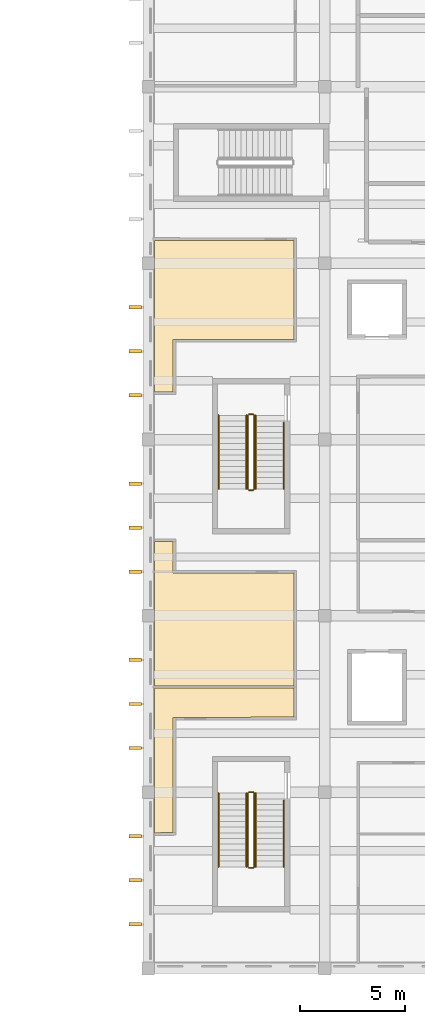
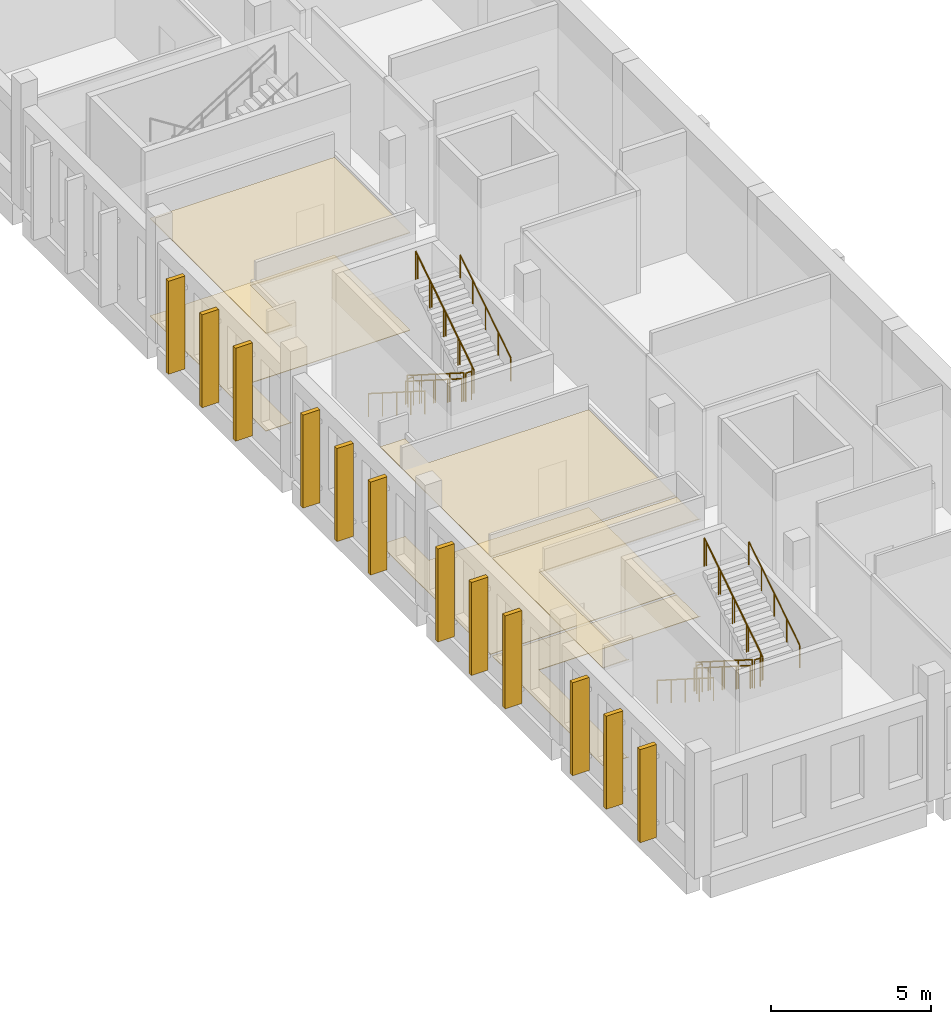
# One storey, part 84 of 103: 18 coverings, 16 railings.
"""IFC4 building model written with IfcOpenShell, lengths in metres."""

from ifc_helpers import new_model, si_unit, direction, frame, origin, origin_2d, place, context, subcontext, project, spatial, polyline, circle, outline, extrude, material, layer, layer_set, type_object, element, save


model = new_model("IFC4")

# Units and contexts
model_context = context("Model", 3, precision=1e-05, world=origin(), true_north=direction((0.0, 1.0)))
body_context = subcontext(model_context, "Body", "Model", "MODEL_VIEW")
ifc_project = project(units=[si_unit("LENGTHUNIT", "METRE"), si_unit("AREAUNIT", "SQUARE_METRE"), si_unit("VOLUMEUNIT", "CUBIC_METRE"), si_unit("PLANEANGLEUNIT", "RADIAN"), si_unit("MASSUNIT", "GRAM", prefix="KILO")], contexts=[model_context])

# Site, building, storey
site_placement = place(None, origin())
site = spatial("IfcSite", under=ifc_project, at=site_placement, CompositionType="ELEMENT")
building_placement = place(site_placement, origin())
building = spatial("IfcBuilding", under=site, at=building_placement, Name="Larchfold Concert Hall", CompositionType="ELEMENT")
storey_placement = place(building_placement, frame((0.0, 0.0, 9.60009765625)))
storey = spatial("IfcBuildingStorey", under=building, at=storey_placement, Name="L02", CompositionType="ELEMENT", Elevation=9.60009765625)

# Coverings
ifc_material_1 = material(Name="Plasterboard ceiling lining")
ifc_layer_1 = layer(ifc_material_1, 0.030029296875)
ifc_layer_set_1 = layer_set([ifc_layer_1], Name="Plasterboard ceiling lining")
covering_type_1 = type_object("IfcCoveringType", Name="Ceiling suspended plasterboard 30", PredefinedType="CEILING", material=ifc_layer_set_1)
covering_1_placement = place(storey_placement, frame((0.0, 0.0, 3.7099609375)))
element("IfcCovering", 1, at=covering_1_placement, inside=storey, type_object=covering_type_1, Name="Ceiling Orchestra Office 02", PredefinedType="CEILING", context=body_context, shape_type="SweptSolid", body=[
    extrude(outline(polyline([(85.849853515625, 7.071533203125), (85.78857421875, 7.071533203125), (85.78857421875, 12.5615234375), (91.60009765625, 12.571533203125), (91.53857421875, 12.571533203125), (91.53857421875, 14.0), (91.534912109375, 13.949951171875), (84.900146484375, 13.949951171875), (84.900146484375, 7.0625), (85.849853515625, 7.071533203125)])), origin(), (0.0, 0.0, 1.0), 0.030029296875),
])
covering_2_placement = place(storey_placement, frame((0.0, 0.0, 3.7099609375)))
element("IfcCovering", 2, at=covering_2_placement, inside=storey, type_object=covering_type_1, Name="Ceiling Orchestra Office 03", PredefinedType="CEILING", context=body_context, shape_type="SweptSolid", body=[
    extrude(outline(polyline([(85.78662109375, 20.9326171875), (85.8251953125, 20.9326171875), (84.900146484375, 20.9375), (84.900146484375, 14.050048828125), (91.534912109375, 14.050048828125), (91.53857421875, 14.0), (91.536376953125, 19.4345703125), (85.78857421875, 19.4384765625), (85.78662109375, 20.9326171875)])), origin(), (0.0, 0.0, 1.0), 0.030029296875),
])
covering_3_placement = place(storey_placement, frame((0.0, 0.0, 3.7099609375)))
element("IfcCovering", 3, at=covering_3_placement, inside=storey, type_object=covering_type_1, Name="Ceiling Orchestra Library", PredefinedType="CEILING", context=body_context, shape_type="SweptSolid", body=[
    extrude(outline(polyline([(85.849853515625, 28.068359375), (85.78759765625, 28.068603515625), (85.78857421875, 30.5615234375), (91.60009765625, 30.5634765625), (91.53466796875, 30.5634765625), (91.53857421875, 35.279541015625), (84.900146484375, 35.28857421875), (84.900146484375, 28.0625), (85.849853515625, 28.068359375)])), origin(), (0.0, 0.0, 1.0), 0.030029296875),
])
ifc_material_2 = material(Name="Linoleum sheet")
ifc_layer_2 = layer(ifc_material_2, 0.02001953125)
ifc_layer_set_2 = layer_set([ifc_layer_2], Name="Linoleum sheet")
covering_type_2 = type_object("IfcCoveringType", Name="Floor finish vinyl 20", PredefinedType="FLOORING", material=ifc_layer_set_2)
covering_4_placement = place(storey_placement, origin())
element("IfcCovering", 4, at=covering_4_placement, inside=storey, type_object=covering_type_2, Name="Floor finish Orchestra Office 02", PredefinedType="FLOORING", context=body_context, shape_type="SweptSolid", body=[
    extrude(outline(polyline([(85.849853515625, 7.071533203125), (85.78857421875, 7.071533203125), (85.78857421875, 12.5615234375), (91.60009765625, 12.571533203125), (91.53857421875, 12.571533203125), (91.53857421875, 14.0), (91.534912109375, 13.949951171875), (84.900146484375, 13.949951171875), (84.900146484375, 7.0625), (85.849853515625, 7.071533203125)])), origin(), (0.0, 0.0, 1.0), 0.02001953125),
])
covering_5_placement = place(storey_placement, origin())
element("IfcCovering", 5, at=covering_5_placement, inside=storey, type_object=covering_type_2, Name="Floor finish Orchestra Office 03", PredefinedType="FLOORING", context=body_context, shape_type="SweptSolid", body=[
    extrude(outline(polyline([(85.78662109375, 20.9326171875), (85.8251953125, 20.9326171875), (84.900146484375, 20.9375), (84.900146484375, 14.050048828125), (91.534912109375, 14.050048828125), (91.53857421875, 14.0), (91.536376953125, 19.4345703125), (85.78857421875, 19.4384765625), (85.78662109375, 20.9326171875)])), origin(), (0.0, 0.0, 1.0), 0.02001953125),
])
covering_6_placement = place(storey_placement, origin())
element("IfcCovering", 6, at=covering_6_placement, inside=storey, type_object=covering_type_2, Name="Floor finish Orchestra Library", PredefinedType="FLOORING", context=body_context, shape_type="SweptSolid", body=[
    extrude(outline(polyline([(85.849853515625, 28.068359375), (85.78759765625, 28.068603515625), (85.78857421875, 30.5615234375), (91.60009765625, 30.5634765625), (91.53466796875, 30.5634765625), (91.53857421875, 35.279541015625), (84.900146484375, 35.28857421875), (84.900146484375, 28.0625), (85.849853515625, 28.068359375)])), origin(), (0.0, 0.0, 1.0), 0.02001953125),
])
ifc_material_3 = material(Name="Glulam GL30c", Category="wood")
ifc_layer_3 = layer(ifc_material_3, 0.159912109375)
ifc_layer_set_3 = layer_set([ifc_layer_3], Name="Glulam GL30c")
covering_type_3 = type_object("IfcCoveringType", Name="Glulam fin 160x600", PredefinedType="CLADDING", material=ifc_layer_set_3)
covering_7_placement = place(storey_placement, frame((0.0, 0.0, 0.199951171875)))
element("IfcCovering", 7, at=covering_7_placement, inside=storey, type_object=covering_type_3, Name="Glulam fin FN-L02-053", PredefinedType="CLADDING", context=body_context, shape_type="SweptSolid", body=[
    extrude(outline(polyline([(84.275146484375, 27.820068359375), (84.275146484375, 27.97998046875), (83.675048828125, 27.97998046875), (83.675048828125, 27.820068359375), (84.275146484375, 27.820068359375)])), origin(), (0.0, 0.0, 1.0), 3.5400390625),
])
covering_8_placement = place(storey_placement, frame((0.0, 0.0, 0.199951171875)))
element("IfcCovering", 8, at=covering_8_placement, inside=storey, type_object=covering_type_3, Name="Glulam fin FN-L02-054", PredefinedType="CLADDING", context=body_context, shape_type="SweptSolid", body=[
    extrude(outline(polyline([(84.275146484375, 29.919921875), (84.275146484375, 30.080078125), (83.675048828125, 30.080078125), (83.675048828125, 29.919921875), (84.275146484375, 29.919921875)])), origin(), (0.0, 0.0, 1.0), 3.5400390625),
])
covering_9_placement = place(storey_placement, frame((0.0, 0.0, 0.199951171875)))
element("IfcCovering", 9, at=covering_9_placement, inside=storey, type_object=covering_type_3, Name="Glulam fin FN-L02-055", PredefinedType="CLADDING", context=body_context, shape_type="SweptSolid", body=[
    extrude(outline(polyline([(84.275146484375, 32.02001953125), (84.275146484375, 32.179931640625), (83.675048828125, 32.179931640625), (83.675048828125, 32.02001953125), (84.275146484375, 32.02001953125)])), origin(), (0.0, 0.0, 1.0), 3.5400390625),
])
covering_10_placement = place(storey_placement, frame((0.0, 0.0, 0.199951171875)))
element("IfcCovering", 10, at=covering_10_placement, inside=storey, type_object=covering_type_3, Name="Glulam fin FN-L02-056", PredefinedType="CLADDING", context=body_context, shape_type="SweptSolid", body=[
    extrude(outline(polyline([(84.275146484375, 19.419921875), (84.275146484375, 19.580078125), (83.675048828125, 19.580078125), (83.675048828125, 19.419921875), (84.275146484375, 19.419921875)])), origin(), (0.0, 0.0, 1.0), 3.5400390625),
])
covering_11_placement = place(storey_placement, frame((0.0, 0.0, 0.199951171875)))
element("IfcCovering", 11, at=covering_11_placement, inside=storey, type_object=covering_type_3, Name="Glulam fin FN-L02-057", PredefinedType="CLADDING", context=body_context, shape_type="SweptSolid", body=[
    extrude(outline(polyline([(84.275146484375, 21.52001953125), (84.275146484375, 21.679931640625), (83.675048828125, 21.679931640625), (83.675048828125, 21.52001953125), (84.275146484375, 21.52001953125)])), origin(), (0.0, 0.0, 1.0), 3.5400390625),
])
covering_12_placement = place(storey_placement, frame((0.0, 0.0, 0.199951171875)))
element("IfcCovering", 12, at=covering_12_placement, inside=storey, type_object=covering_type_3, Name="Glulam fin FN-L02-058", PredefinedType="CLADDING", context=body_context, shape_type="SweptSolid", body=[
    extrude(outline(polyline([(84.275146484375, 23.6201171875), (84.275146484375, 23.780029296875), (83.675048828125, 23.780029296875), (83.675048828125, 23.6201171875), (84.275146484375, 23.6201171875)])), origin(), (0.0, 0.0, 1.0), 3.5400390625),
])
covering_13_placement = place(storey_placement, frame((0.0, 0.0, 0.199951171875)))
element("IfcCovering", 13, at=covering_13_placement, inside=storey, type_object=covering_type_3, Name="Glulam fin FN-L02-059", PredefinedType="CLADDING", context=body_context, shape_type="SweptSolid", body=[
    extrude(outline(polyline([(84.275146484375, 11.02001953125), (84.275146484375, 11.179931640625), (83.675048828125, 11.179931640625), (83.675048828125, 11.02001953125), (84.275146484375, 11.02001953125)])), origin(), (0.0, 0.0, 1.0), 3.5400390625),
])
covering_14_placement = place(storey_placement, frame((0.0, 0.0, 0.199951171875)))
element("IfcCovering", 14, at=covering_14_placement, inside=storey, type_object=covering_type_3, Name="Glulam fin FN-L02-060", PredefinedType="CLADDING", context=body_context, shape_type="SweptSolid", body=[
    extrude(outline(polyline([(84.275146484375, 13.1201171875), (84.275146484375, 13.280029296875), (83.675048828125, 13.280029296875), (83.675048828125, 13.1201171875), (84.275146484375, 13.1201171875)])), origin(), (0.0, 0.0, 1.0), 3.5400390625),
])
covering_15_placement = place(storey_placement, frame((0.0, 0.0, 0.199951171875)))
element("IfcCovering", 15, at=covering_15_placement, inside=storey, type_object=covering_type_3, Name="Glulam fin FN-L02-061", PredefinedType="CLADDING", context=body_context, shape_type="SweptSolid", body=[
    extrude(outline(polyline([(84.275146484375, 15.219970703125), (84.275146484375, 15.3798828125), (83.675048828125, 15.3798828125), (83.675048828125, 15.219970703125), (84.275146484375, 15.219970703125)])), origin(), (0.0, 0.0, 1.0), 3.5400390625),
])
covering_16_placement = place(storey_placement, frame((0.0, 0.0, 0.199951171875)))
element("IfcCovering", 16, at=covering_16_placement, inside=storey, type_object=covering_type_3, Name="Glulam fin FN-L02-062", PredefinedType="CLADDING", context=body_context, shape_type="SweptSolid", body=[
    extrude(outline(polyline([(84.275146484375, 2.6201171875), (84.275146484375, 2.780029296875), (83.675048828125, 2.780029296875), (83.675048828125, 2.6201171875), (84.275146484375, 2.6201171875)])), origin(), (0.0, 0.0, 1.0), 3.5400390625),
])
covering_17_placement = place(storey_placement, frame((0.0, 0.0, 0.199951171875)))
element("IfcCovering", 17, at=covering_17_placement, inside=storey, type_object=covering_type_3, Name="Glulam fin FN-L02-063", PredefinedType="CLADDING", context=body_context, shape_type="SweptSolid", body=[
    extrude(outline(polyline([(84.275146484375, 4.719970703125), (84.275146484375, 4.8798828125), (83.675048828125, 4.8798828125), (83.675048828125, 4.719970703125), (84.275146484375, 4.719970703125)])), origin(), (0.0, 0.0, 1.0), 3.5400390625),
])
covering_18_placement = place(storey_placement, frame((0.0, 0.0, 0.199951171875)))
element("IfcCovering", 18, at=covering_18_placement, inside=storey, type_object=covering_type_3, Name="Glulam fin FN-L02-064", PredefinedType="CLADDING", context=body_context, shape_type="SweptSolid", body=[
    extrude(outline(polyline([(84.275146484375, 6.820068359375), (84.275146484375, 6.97998046875), (83.675048828125, 6.97998046875), (83.675048828125, 6.820068359375), (84.275146484375, 6.820068359375)])), origin(), (0.0, 0.0, 1.0), 3.5400390625),
])

# Railings
ifc_material_4 = material(Name="Stainless steel balustrade", Category="steel")
railing_type_1 = type_object("IfcRailingType", Name="Stair guard 1100", PredefinedType="GUARDRAIL", material=ifc_material_4)
railing_1_placement = place(storey_placement, frame((89.349853515625, 8.949951171875, 0.17138671875)))
element("IfcRailing", 19, at=railing_1_placement, inside=storey, type_object=railing_type_1, Name="Guard GR0052", PredefinedType="GUARDRAIL", context=body_context, shape_type="SweptSolid", body=[
    extrude(circle(Radius=0.02392578125, at=origin_2d()), frame((0.0, 0.0, 1.076171875), z_axis=(0.0, -0.844219563411, 0.53599750816), x_axis=(1.0, 0.0, 0.0)), (0.0, 0.0, 1.0), 4.15771484375),
    extrude(circle(Radius=0.02099609375, at=origin_2d()), origin(), (0.0, 0.0, 1.0), 1.052001953125),
    extrude(circle(Radius=0.02099609375, at=origin_2d()), frame((0.0, -0.87744140625, 0.55712890625)), (0.0, 0.0, 1.0), 1.052001953125),
    extrude(circle(Radius=0.02099609375, at=origin_2d()), frame((0.0, -1.7548828125, 1.1142578125)), (0.0, 0.0, 1.0), 1.052001953125),
    extrude(circle(Radius=0.02099609375, at=origin_2d()), frame((0.0, -2.632568359375, 1.67138671875)), (0.0, 0.0, 1.0), 1.052001953125),
    extrude(circle(Radius=0.02099609375, at=origin_2d()), frame((0.0, -3.510009765625, 2.228515625)), (0.0, 0.0, 1.0), 1.052001953125),
])
railing_2_placement = place(storey_placement, frame((89.39990234375, 5.389892578125, 2.39990234375)))
element("IfcRailing", 20, at=railing_2_placement, inside=storey, type_object=railing_type_1, Name="Guard GR0053", PredefinedType="GUARDRAIL", context=body_context, shape_type="SweptSolid", body=[
    extrude(circle(Radius=0.02392578125, at=origin_2d()), frame((0.0, 0.0, 1.076171875), z_axis=(1.0, 0.0, 0.0), x_axis=(0.0, 1.0, 0.0)), (0.0, 0.0, 1.0), 0.199951171875),
    extrude(circle(Radius=0.02099609375, at=origin_2d()), origin(), (0.0, 0.0, 1.0), 1.052001953125),
    extrude(circle(Radius=0.02099609375, at=origin_2d()), frame((0.199951171875, 0.0, 0.0)), (0.0, 0.0, 1.0), 1.052001953125),
])
railing_3_placement = place(storey_placement, frame((89.64990234375, 5.43994140625, 2.5712890625)))
element("IfcRailing", 21, at=railing_3_placement, inside=storey, type_object=railing_type_1, Name="Guard GR0054", PredefinedType="GUARDRAIL", context=body_context, shape_type="SweptSolid", body=[
    extrude(circle(Radius=0.02392578125, at=origin_2d()), frame((0.0, 0.0, 1.076171875), z_axis=(0.0, 0.844219563411, 0.53599750816), x_axis=(-1.0, 0.0, 0.0)), (0.0, 0.0, 1.0), 4.15771484375),
    extrude(circle(Radius=0.02099609375, at=origin_2d()), origin(), (0.0, 0.0, 1.0), 1.052001953125),
    extrude(circle(Radius=0.02099609375, at=origin_2d()), frame((0.0, 0.87744140625, 0.55712890625)), (0.0, 0.0, 1.0), 1.052001953125),
    extrude(circle(Radius=0.02099609375, at=origin_2d()), frame((0.0, 1.7548828125, 1.1142578125)), (0.0, 0.0, 1.0), 1.052001953125),
    extrude(circle(Radius=0.02099609375, at=origin_2d()), frame((0.0, 2.632568359375, 1.67138671875)), (0.0, 0.0, 1.0), 1.052001953125),
    extrude(circle(Radius=0.02099609375, at=origin_2d()), frame((0.0, 3.510009765625, 2.228515625)), (0.0, 0.0, 1.0), 1.052001953125),
])
railing_4_placement = place(storey_placement, frame((89.39990234375, 9.0, 0.0)))
element("IfcRailing", 22, at=railing_4_placement, inside=storey, type_object=railing_type_1, Name="Guard GR0055", PredefinedType="GUARDRAIL", context=body_context, shape_type="SweptSolid", body=[
    extrude(circle(Radius=0.02392578125, at=origin_2d()), frame((0.0, 0.0, 1.076171875), z_axis=(1.0, 0.0, 0.0), x_axis=(0.0, 1.0, 0.0)), (0.0, 0.0, 1.0), 0.199951171875),
    extrude(circle(Radius=0.02099609375, at=origin_2d()), origin(), (0.0, 0.0, 1.0), 1.052001953125),
    extrude(circle(Radius=0.02099609375, at=origin_2d()), frame((0.199951171875, 0.0, 0.0)), (0.0, 0.0, 1.0), 1.052001953125),
])
railing_5_placement = place(storey_placement, frame((89.349853515625, 26.949951171875, 0.17138671875)))
element("IfcRailing", 23, at=railing_5_placement, inside=storey, type_object=railing_type_1, Name="Guard GR0056", PredefinedType="GUARDRAIL", context=body_context, shape_type="SweptSolid", body=[
    extrude(circle(Radius=0.02392578125, at=origin_2d()), frame((0.0, 0.0, 1.076171875), z_axis=(0.0, -0.844219563411, 0.53599750816), x_axis=(1.0, 0.0, 0.0)), (0.0, 0.0, 1.0), 4.15771484375),
    extrude(circle(Radius=0.02099609375, at=origin_2d()), origin(), (0.0, 0.0, 1.0), 1.052001953125),
    extrude(circle(Radius=0.02099609375, at=origin_2d()), frame((0.0, -0.87744140625, 0.55712890625)), (0.0, 0.0, 1.0), 1.052001953125),
    extrude(circle(Radius=0.02099609375, at=origin_2d()), frame((0.0, -1.7548828125, 1.1142578125)), (0.0, 0.0, 1.0), 1.052001953125),
    extrude(circle(Radius=0.02099609375, at=origin_2d()), frame((0.0, -2.632568359375, 1.67138671875)), (0.0, 0.0, 1.0), 1.052001953125),
    extrude(circle(Radius=0.02099609375, at=origin_2d()), frame((0.0, -3.510009765625, 2.228515625)), (0.0, 0.0, 1.0), 1.052001953125),
])
railing_6_placement = place(storey_placement, frame((89.39990234375, 23.389892578125, 2.39990234375)))
element("IfcRailing", 24, at=railing_6_placement, inside=storey, type_object=railing_type_1, Name="Guard GR0057", PredefinedType="GUARDRAIL", context=body_context, shape_type="SweptSolid", body=[
    extrude(circle(Radius=0.02392578125, at=origin_2d()), frame((0.0, 0.0, 1.076171875), z_axis=(1.0, 0.0, 0.0), x_axis=(0.0, 1.0, 0.0)), (0.0, 0.0, 1.0), 0.199951171875),
    extrude(circle(Radius=0.02099609375, at=origin_2d()), origin(), (0.0, 0.0, 1.0), 1.052001953125),
    extrude(circle(Radius=0.02099609375, at=origin_2d()), frame((0.199951171875, 0.0, 0.0)), (0.0, 0.0, 1.0), 1.052001953125),
])
railing_7_placement = place(storey_placement, frame((89.64990234375, 23.43994140625, 2.5712890625)))
element("IfcRailing", 25, at=railing_7_placement, inside=storey, type_object=railing_type_1, Name="Guard GR0058", PredefinedType="GUARDRAIL", context=body_context, shape_type="SweptSolid", body=[
    extrude(circle(Radius=0.02392578125, at=origin_2d()), frame((0.0, 0.0, 1.076171875), z_axis=(0.0, 0.844219563411, 0.53599750816), x_axis=(-1.0, 0.0, 0.0)), (0.0, 0.0, 1.0), 4.15771484375),
    extrude(circle(Radius=0.02099609375, at=origin_2d()), origin(), (0.0, 0.0, 1.0), 1.052001953125),
    extrude(circle(Radius=0.02099609375, at=origin_2d()), frame((0.0, 0.87744140625, 0.55712890625)), (0.0, 0.0, 1.0), 1.052001953125),
    extrude(circle(Radius=0.02099609375, at=origin_2d()), frame((0.0, 1.7548828125, 1.1142578125)), (0.0, 0.0, 1.0), 1.052001953125),
    extrude(circle(Radius=0.02099609375, at=origin_2d()), frame((0.0, 2.632568359375, 1.67138671875)), (0.0, 0.0, 1.0), 1.052001953125),
    extrude(circle(Radius=0.02099609375, at=origin_2d()), frame((0.0, 3.510009765625, 2.228515625)), (0.0, 0.0, 1.0), 1.052001953125),
])
railing_8_placement = place(storey_placement, frame((89.39990234375, 27.0, 0.0)))
element("IfcRailing", 26, at=railing_8_placement, inside=storey, type_object=railing_type_1, Name="Guard GR0059", PredefinedType="GUARDRAIL", context=body_context, shape_type="SweptSolid", body=[
    extrude(circle(Radius=0.02392578125, at=origin_2d()), frame((0.0, 0.0, 1.076171875), z_axis=(1.0, 0.0, 0.0), x_axis=(0.0, 1.0, 0.0)), (0.0, 0.0, 1.0), 0.199951171875),
    extrude(circle(Radius=0.02099609375, at=origin_2d()), origin(), (0.0, 0.0, 1.0), 1.052001953125),
    extrude(circle(Radius=0.02099609375, at=origin_2d()), frame((0.199951171875, 0.0, 0.0)), (0.0, 0.0, 1.0), 1.052001953125),
])
ifc_material_5 = material(Name="Stainless steel handrail", Category="steel")
railing_type_2 = type_object("IfcRailingType", Name="Stair handrail 900", PredefinedType="HANDRAIL", material=ifc_material_5)
railing_9_placement = place(storey_placement, frame((87.949951171875, 8.949951171875, 0.17138671875)))
element("IfcRailing", 27, at=railing_9_placement, inside=storey, type_object=railing_type_2, Name="Handrail HR0049", PredefinedType="HANDRAIL", context=body_context, shape_type="SweptSolid", body=[
    extrude(circle(Radius=0.02392578125, at=origin_2d()), frame((0.0, 0.0, 0.8759765625), z_axis=(0.0, -0.844219563411, 0.53599750816), x_axis=(1.0, 0.0, 0.0)), (0.0, 0.0, 1.0), 4.15771484375),
    extrude(circle(Radius=0.02099609375, at=origin_2d()), origin(), (0.0, 0.0, 1.0), 0.851806640625),
    extrude(circle(Radius=0.02099609375, at=origin_2d()), frame((0.0, -0.87744140625, 0.55712890625)), (0.0, 0.0, 1.0), 0.851806640625),
    extrude(circle(Radius=0.02099609375, at=origin_2d()), frame((0.0, -1.7548828125, 1.1142578125)), (0.0, 0.0, 1.0), 0.851806640625),
    extrude(circle(Radius=0.02099609375, at=origin_2d()), frame((0.0, -2.632568359375, 1.67138671875)), (0.0, 0.0, 1.0), 0.851806640625),
    extrude(circle(Radius=0.02099609375, at=origin_2d()), frame((0.0, -3.510009765625, 2.228515625)), (0.0, 0.0, 1.0), 0.851806640625),
])
railing_10_placement = place(storey_placement, frame((91.0498046875, 5.43994140625, 2.5712890625)))
element("IfcRailing", 28, at=railing_10_placement, inside=storey, type_object=railing_type_2, Name="Handrail HR0050", PredefinedType="HANDRAIL", context=body_context, shape_type="SweptSolid", body=[
    extrude(circle(Radius=0.02392578125, at=origin_2d()), frame((0.0, 0.0, 0.8759765625), z_axis=(0.0, 0.844224994989, 0.535988953092), x_axis=(-1.0, 0.0, 0.0)), (0.0, 0.0, 1.0), 3.7431640625),
    extrude(circle(Radius=0.02099609375, at=origin_2d()), origin(), (0.0, 0.0, 1.0), 0.851806640625),
    extrude(circle(Radius=0.02099609375, at=origin_2d()), frame((0.0, 0.7900390625, 0.50146484375)), (0.0, 0.0, 1.0), 0.851806640625),
    extrude(circle(Radius=0.02099609375, at=origin_2d()), frame((0.0, 1.580078125, 1.003173828125)), (0.0, 0.0, 1.0), 0.851806640625),
    extrude(circle(Radius=0.02099609375, at=origin_2d()), frame((0.0, 2.3701171875, 1.5048828125)), (0.0, 0.0, 1.0), 0.851806640625),
    extrude(circle(Radius=0.02099609375, at=origin_2d()), frame((0.0, 3.16015625, 2.00634765625)), (0.0, 0.0, 1.0), 0.851806640625),
])
railing_11_placement = place(storey_placement, frame((89.27978515625, 8.949951171875, 0.17138671875)))
element("IfcRailing", 29, at=railing_11_placement, inside=storey, type_object=railing_type_2, Name="Handrail HR0051", PredefinedType="HANDRAIL", context=body_context, shape_type="SweptSolid", body=[
    extrude(circle(Radius=0.02392578125, at=origin_2d()), frame((0.0, 0.0, 0.8759765625), z_axis=(0.0, -0.844219563411, 0.53599750816), x_axis=(1.0, 0.0, 0.0)), (0.0, 0.0, 1.0), 4.15771484375),
    extrude(circle(Radius=0.02099609375, at=origin_2d()), origin(), (0.0, 0.0, 1.0), 0.851806640625),
    extrude(circle(Radius=0.02099609375, at=origin_2d()), frame((0.0, -0.87744140625, 0.55712890625)), (0.0, 0.0, 1.0), 0.851806640625),
    extrude(circle(Radius=0.02099609375, at=origin_2d()), frame((0.0, -1.7548828125, 1.1142578125)), (0.0, 0.0, 1.0), 0.851806640625),
    extrude(circle(Radius=0.02099609375, at=origin_2d()), frame((0.0, -2.632568359375, 1.67138671875)), (0.0, 0.0, 1.0), 0.851806640625),
    extrude(circle(Radius=0.02099609375, at=origin_2d()), frame((0.0, -3.510009765625, 2.228515625)), (0.0, 0.0, 1.0), 0.851806640625),
])
railing_12_placement = place(storey_placement, frame((89.719970703125, 5.43994140625, 2.5712890625)))
element("IfcRailing", 30, at=railing_12_placement, inside=storey, type_object=railing_type_2, Name="Handrail HR0052", PredefinedType="HANDRAIL", context=body_context, shape_type="SweptSolid", body=[
    extrude(circle(Radius=0.02392578125, at=origin_2d()), frame((0.0, 0.0, 0.8759765625), z_axis=(0.0, 0.844219563411, 0.53599750816), x_axis=(-1.0, 0.0, 0.0)), (0.0, 0.0, 1.0), 4.15771484375),
    extrude(circle(Radius=0.02099609375, at=origin_2d()), origin(), (0.0, 0.0, 1.0), 0.851806640625),
    extrude(circle(Radius=0.02099609375, at=origin_2d()), frame((0.0, 0.87744140625, 0.55712890625)), (0.0, 0.0, 1.0), 0.851806640625),
    extrude(circle(Radius=0.02099609375, at=origin_2d()), frame((0.0, 1.7548828125, 1.1142578125)), (0.0, 0.0, 1.0), 0.851806640625),
    extrude(circle(Radius=0.02099609375, at=origin_2d()), frame((0.0, 2.632568359375, 1.67138671875)), (0.0, 0.0, 1.0), 0.851806640625),
    extrude(circle(Radius=0.02099609375, at=origin_2d()), frame((0.0, 3.510009765625, 2.228515625)), (0.0, 0.0, 1.0), 0.851806640625),
])
railing_13_placement = place(storey_placement, frame((87.949951171875, 26.949951171875, 0.17138671875)))
element("IfcRailing", 31, at=railing_13_placement, inside=storey, type_object=railing_type_2, Name="Handrail HR0053", PredefinedType="HANDRAIL", context=body_context, shape_type="SweptSolid", body=[
    extrude(circle(Radius=0.02392578125, at=origin_2d()), frame((0.0, 0.0, 0.8759765625), z_axis=(0.0, -0.844219563411, 0.53599750816), x_axis=(1.0, 0.0, 0.0)), (0.0, 0.0, 1.0), 4.15771484375),
    extrude(circle(Radius=0.02099609375, at=origin_2d()), origin(), (0.0, 0.0, 1.0), 0.851806640625),
    extrude(circle(Radius=0.02099609375, at=origin_2d()), frame((0.0, -0.87744140625, 0.55712890625)), (0.0, 0.0, 1.0), 0.851806640625),
    extrude(circle(Radius=0.02099609375, at=origin_2d()), frame((0.0, -1.7548828125, 1.1142578125)), (0.0, 0.0, 1.0), 0.851806640625),
    extrude(circle(Radius=0.02099609375, at=origin_2d()), frame((0.0, -2.632568359375, 1.67138671875)), (0.0, 0.0, 1.0), 0.851806640625),
    extrude(circle(Radius=0.02099609375, at=origin_2d()), frame((0.0, -3.510009765625, 2.228515625)), (0.0, 0.0, 1.0), 0.851806640625),
])
railing_14_placement = place(storey_placement, frame((91.0498046875, 23.43994140625, 2.5712890625)))
element("IfcRailing", 32, at=railing_14_placement, inside=storey, type_object=railing_type_2, Name="Handrail HR0054", PredefinedType="HANDRAIL", context=body_context, shape_type="SweptSolid", body=[
    extrude(circle(Radius=0.02392578125, at=origin_2d()), frame((0.0, 0.0, 0.8759765625), z_axis=(0.0, 0.844224994989, 0.535988953092), x_axis=(-1.0, 0.0, 0.0)), (0.0, 0.0, 1.0), 3.7431640625),
    extrude(circle(Radius=0.02099609375, at=origin_2d()), origin(), (0.0, 0.0, 1.0), 0.851806640625),
    extrude(circle(Radius=0.02099609375, at=origin_2d()), frame((0.0, 0.7900390625, 0.50146484375)), (0.0, 0.0, 1.0), 0.851806640625),
    extrude(circle(Radius=0.02099609375, at=origin_2d()), frame((0.0, 1.580078125, 1.003173828125)), (0.0, 0.0, 1.0), 0.851806640625),
    extrude(circle(Radius=0.02099609375, at=origin_2d()), frame((0.0, 2.3701171875, 1.5048828125)), (0.0, 0.0, 1.0), 0.851806640625),
    extrude(circle(Radius=0.02099609375, at=origin_2d()), frame((0.0, 3.16015625, 2.00634765625)), (0.0, 0.0, 1.0), 0.851806640625),
])
railing_15_placement = place(storey_placement, frame((89.27978515625, 26.949951171875, 0.17138671875)))
element("IfcRailing", 33, at=railing_15_placement, inside=storey, type_object=railing_type_2, Name="Handrail HR0055", PredefinedType="HANDRAIL", context=body_context, shape_type="SweptSolid", body=[
    extrude(circle(Radius=0.02392578125, at=origin_2d()), frame((0.0, 0.0, 0.8759765625), z_axis=(0.0, -0.844219563411, 0.53599750816), x_axis=(1.0, 0.0, 0.0)), (0.0, 0.0, 1.0), 4.15771484375),
    extrude(circle(Radius=0.02099609375, at=origin_2d()), origin(), (0.0, 0.0, 1.0), 0.851806640625),
    extrude(circle(Radius=0.02099609375, at=origin_2d()), frame((0.0, -0.87744140625, 0.55712890625)), (0.0, 0.0, 1.0), 0.851806640625),
    extrude(circle(Radius=0.02099609375, at=origin_2d()), frame((0.0, -1.7548828125, 1.1142578125)), (0.0, 0.0, 1.0), 0.851806640625),
    extrude(circle(Radius=0.02099609375, at=origin_2d()), frame((0.0, -2.632568359375, 1.67138671875)), (0.0, 0.0, 1.0), 0.851806640625),
    extrude(circle(Radius=0.02099609375, at=origin_2d()), frame((0.0, -3.510009765625, 2.228515625)), (0.0, 0.0, 1.0), 0.851806640625),
])
railing_16_placement = place(storey_placement, frame((89.719970703125, 23.43994140625, 2.5712890625)))
element("IfcRailing", 34, at=railing_16_placement, inside=storey, type_object=railing_type_2, Name="Handrail HR0056", PredefinedType="HANDRAIL", context=body_context, shape_type="SweptSolid", body=[
    extrude(circle(Radius=0.02392578125, at=origin_2d()), frame((0.0, 0.0, 0.8759765625), z_axis=(0.0, 0.844219563411, 0.53599750816), x_axis=(-1.0, 0.0, 0.0)), (0.0, 0.0, 1.0), 4.15771484375),
    extrude(circle(Radius=0.02099609375, at=origin_2d()), origin(), (0.0, 0.0, 1.0), 0.851806640625),
    extrude(circle(Radius=0.02099609375, at=origin_2d()), frame((0.0, 0.87744140625, 0.55712890625)), (0.0, 0.0, 1.0), 0.851806640625),
    extrude(circle(Radius=0.02099609375, at=origin_2d()), frame((0.0, 1.7548828125, 1.1142578125)), (0.0, 0.0, 1.0), 0.851806640625),
    extrude(circle(Radius=0.02099609375, at=origin_2d()), frame((0.0, 2.632568359375, 1.67138671875)), (0.0, 0.0, 1.0), 0.851806640625),
    extrude(circle(Radius=0.02099609375, at=origin_2d()), frame((0.0, 3.510009765625, 2.228515625)), (0.0, 0.0, 1.0), 0.851806640625),
])

save(model, "model.ifc")
